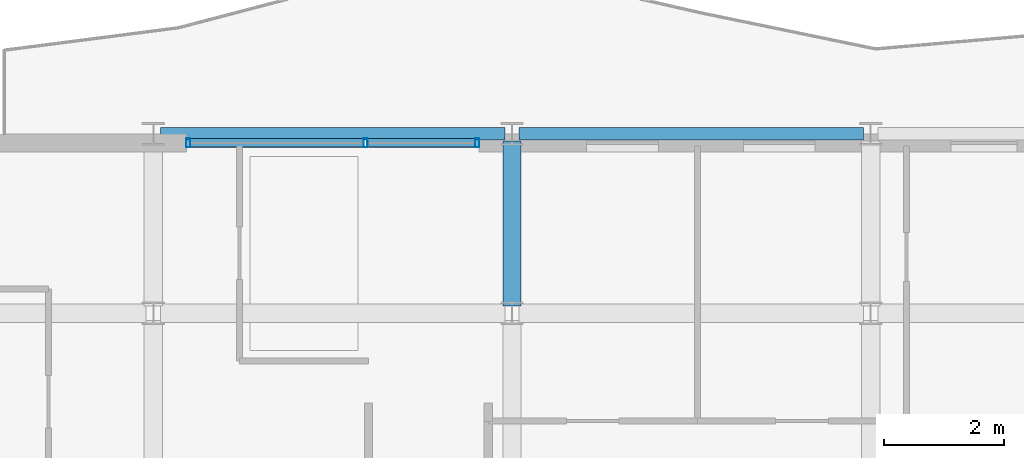
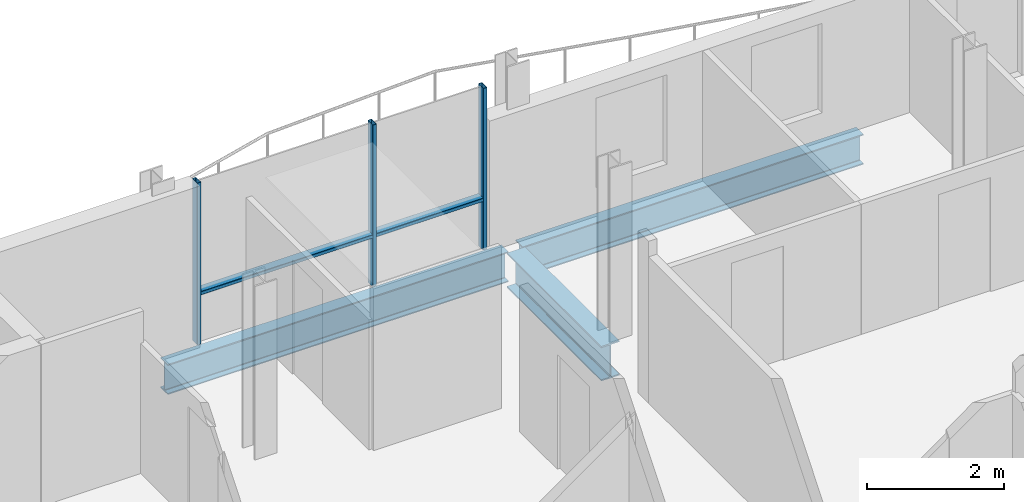
# One storey, part 8 of 35: 5 members, 3 beams, 1 element without a shape of its own.
"""IFC4 building model written with IfcOpenShell, lengths in metres."""

from ifc_helpers import new_model, si_unit, direction, frame, origin, origin_2d, place, context, subcontext, project, spatial, hollow_rectangle, i_section, extrude, material, layer, layer_set, material_profile, profile_set, type_object, element, aggregate, save


model = new_model("IFC4")

# Units and contexts
model_context = context("Model", 3, precision=1e-05, world=origin(), true_north=direction((0.0, 1.0)))
body_context = subcontext(model_context, "Body", "Model", "MODEL_VIEW")
ifc_project = project(units=[si_unit("LENGTHUNIT", "METRE"), si_unit("AREAUNIT", "SQUARE_METRE"), si_unit("VOLUMEUNIT", "CUBIC_METRE"), si_unit("PLANEANGLEUNIT", "RADIAN"), si_unit("MASSUNIT", "GRAM", prefix="KILO")], contexts=[model_context])

# Site, building, storey
site_placement = place(None, origin())
site = spatial("IfcSite", under=ifc_project, at=site_placement, CompositionType="ELEMENT")
building_placement = place(site_placement, origin())
building = spatial("IfcBuilding", under=site, at=building_placement, Name="Brevholm Reach", CompositionType="ELEMENT")
storey_placement = place(building_placement, frame((0.0, 0.0, 218.0)))
storey = spatial("IfcBuildingStorey", under=building, at=storey_placement, Name="L66", CompositionType="ELEMENT", Elevation=218.0)

# Beams
ifc_material_1 = material(Name="Structural Steel S355J2", Category="steel")
ifc_material_profile_1 = material_profile(ifc_material_1, i_section(OverallWidth=0.210693359375, OverallDepth=0.53955078125, WebThickness=0.01171875, FlangeThickness=0.018798828125, FilletRadius=0.0126953125, at=origin_2d()), Name="UKB 533x210x109")
ifc_profile_set_1 = profile_set([ifc_material_profile_1], Name="Structural Steel S355J2")
beam_type_1 = type_object("IfcBeamType", Name="BM-SP539", PredefinedType="SPANDREL", material=ifc_profile_set_1)
for number, where, z_axis, x_axis, name in (
    (1, (6.1201171875, 26.5, -0.539794921875), (1.0, 0.0, 0.0), (0.0, 1.0, 0.0), "L66 SP-01B Framing Beam"),
    (2, (12.1201171875, 26.5, -0.539794921875), (1.0, 0.0, 0.0), (0.0, 1.0, 0.0), "L66 SP-01B Framing Beam"),
):
    element("IfcBeam", number, at=place(storey_placement, frame(where, z_axis=z_axis, x_axis=x_axis)), inside=storey, type_object=beam_type_1, Name=name, PredefinedType="SPANDREL", context=body_context, shape_type="SweptSolid", body=[
        extrude(i_section(OverallWidth=0.210693359375, OverallDepth=0.53955078125, WebThickness=0.01171875, FlangeThickness=0.018798828125, FilletRadius=0.0126953125, at=origin_2d()), origin(), (0.0, 0.0, 1.0), 5.759765625),
    ])
ifc_material_2 = material(Name="Structural Steel S355J2", Category="steel")
ifc_material_profile_2 = material_profile(ifc_material_2, i_section(OverallWidth=0.30712890625, OverallDepth=0.6201171875, WebThickness=0.01416015625, FlangeThickness=0.023681640625, FilletRadius=0.0166015625, at=origin_2d()), Name="UKB 610x305x179")
ifc_profile_set_2 = profile_set([ifc_material_profile_2], Name="Structural Steel S355J2")
beam_type_2 = type_object("IfcBeamType", Name="BM-UKB610H", PredefinedType="USERDEFINED", material=ifc_profile_set_2)
beam_placement = place(storey_placement, frame((12.0, 23.6201171875, -0.580078125), z_axis=(0.0, 1.0, 0.0), x_axis=(-1.0, 0.0, 0.0)))
element("IfcBeam", 3, at=beam_placement, inside=storey, type_object=beam_type_2, Name="L66 G-06 Framing Beam", ObjectType="GIRDER", PredefinedType="USERDEFINED", context=body_context, shape_type="SweptSolid", body=[
    extrude(i_section(OverallWidth=0.30712890625, OverallDepth=0.6201171875, WebThickness=0.01416015625, FlangeThickness=0.023681640625, FilletRadius=0.0166015625, at=origin_2d()), origin(), (0.0, 0.0, 1.0), 2.759765625),
])

# Curtain wall, members
ifc_material_3 = material(Name="Dark Anodised Aluminium 6063-T6 and Solar-Control Glass", Category="aluminium")
ifc_layer = layer(ifc_material_3, 0.14990234375)
ifc_layer_set = layer_set([ifc_layer], Name="Dark Anodised Aluminium 6063-T6 and Solar-Control Glass")
curtain_wall_type = type_object("IfcCurtainWallType", Name="CW-01", PredefinedType="NOTDEFINED", material=ifc_layer_set)
curtain_wall_placement = place(storey_placement, origin())
curtain_wall = element("IfcCurtainWall", 4, at=curtain_wall_placement, inside=storey, type_object=curtain_wall_type, Name="L66 Curtain Wall CW-01", PredefinedType="NOTDEFINED")
ifc_material_4 = material(Name="Dark Anodised Aluminium 6063-T6", Category="aluminium")
ifc_material_profile_3 = material_profile(ifc_material_4, hollow_rectangle(XDim=0.06494140625, YDim=0.14990234375, WallThickness=0.0048828125, InnerFilletRadius=0.0048828125, OuterFilletRadius=0.010009765625, at=origin_2d()), Name="RHS 150x65x5")
ifc_profile_set_3 = profile_set([ifc_material_profile_3], Name="Dark Anodised Aluminium 6063-T6")
member_type_1 = type_object("IfcMemberType", Name="CWM-150", PredefinedType="MULLION", material=ifc_profile_set_3)
member_1_placement = place(storey_placement, frame((6.58251953125, 26.35009765625, 0.0), z_axis=(0.0, 0.0, 1.0), x_axis=(1.0, 0.0, 0.0)))
member_1 = element("IfcMember", 5, at=member_1_placement, type_object=member_type_1, Name="CM-150 Mullion 1", PredefinedType="MULLION", context=body_context, shape_type="SweptSolid", body=[
    extrude(hollow_rectangle(XDim=0.06494140625, YDim=0.14990234375, WallThickness=0.0048828125, InnerFilletRadius=0.0048828125, OuterFilletRadius=0.010009765625, at=origin_2d()), origin(), (0.0, 0.0, 1.0), 2.889892578125),
])
member_2_placement = place(storey_placement, frame((9.550048828125, 26.35009765625, 0.0), z_axis=(0.0, 0.0, 1.0), x_axis=(1.0, 0.0, 0.0)))
member_2 = element("IfcMember", 6, at=member_2_placement, type_object=member_type_1, Name="CM-150 Mullion 2", PredefinedType="MULLION", context=body_context, shape_type="SweptSolid", body=[
    extrude(hollow_rectangle(XDim=0.06494140625, YDim=0.14990234375, WallThickness=0.0048828125, InnerFilletRadius=0.0048828125, OuterFilletRadius=0.010009765625, at=origin_2d()), origin(), (0.0, 0.0, 1.0), 2.889892578125),
])
member_3_placement = place(storey_placement, frame((11.41748046875, 26.35009765625, 0.0), z_axis=(0.0, 0.0, 1.0), x_axis=(1.0, 0.0, 0.0)))
member_3 = element("IfcMember", 7, at=member_3_placement, type_object=member_type_1, Name="CM-150 Mullion 3", PredefinedType="MULLION", context=body_context, shape_type="SweptSolid", body=[
    extrude(hollow_rectangle(XDim=0.06494140625, YDim=0.14990234375, WallThickness=0.0048828125, InnerFilletRadius=0.0048828125, OuterFilletRadius=0.010009765625, at=origin_2d()), origin(), (0.0, 0.0, 1.0), 2.889892578125),
])
ifc_material_5 = material(Name="Dark Anodised Aluminium 6063-T6", Category="aluminium")
ifc_material_profile_4 = material_profile(ifc_material_5, hollow_rectangle(XDim=0.06494140625, YDim=0.14990234375, WallThickness=0.0048828125, InnerFilletRadius=0.0048828125, OuterFilletRadius=0.010009765625, at=origin_2d()), Name="RHS 150x65x5")
ifc_profile_set_4 = profile_set([ifc_material_profile_4], Name="Dark Anodised Aluminium 6063-T6")
member_type_2 = type_object("IfcMemberType", Name="CWT-150", PredefinedType="NOTDEFINED", material=ifc_profile_set_4)
member_4_placement = place(storey_placement, frame((6.614990234375, 26.35009765625, 0.89990234375), z_axis=(1.0, 0.0, 0.0), x_axis=(0.0, 0.0, 1.0)))
member_4 = element("IfcMember", 8, at=member_4_placement, type_object=member_type_2, Name="CT-150 Transom 1.1", ObjectType="TRANSOM", PredefinedType="USERDEFINED", context=body_context, shape_type="SweptSolid", body=[
    extrude(hollow_rectangle(XDim=0.06494140625, YDim=0.14990234375, WallThickness=0.0048828125, InnerFilletRadius=0.0048828125, OuterFilletRadius=0.010009765625, at=origin_2d()), origin(), (0.0, 0.0, 1.0), 2.902587890625),
])
member_5_placement = place(storey_placement, frame((9.58251953125, 26.35009765625, 0.89990234375), z_axis=(1.0, 0.0, 0.0), x_axis=(0.0, 0.0, 1.0)))
member_5 = element("IfcMember", 9, at=member_5_placement, type_object=member_type_2, Name="CT-150 Transom 2.1", ObjectType="TRANSOM", PredefinedType="USERDEFINED", context=body_context, shape_type="SweptSolid", body=[
    extrude(hollow_rectangle(XDim=0.06494140625, YDim=0.14990234375, WallThickness=0.0048828125, InnerFilletRadius=0.0048828125, OuterFilletRadius=0.010009765625, at=origin_2d()), origin(), (0.0, 0.0, 1.0), 1.802490234375),
])
aggregate(curtain_wall, [member_1, member_2, member_3, member_4, member_5])

save(model, "model.ifc")
